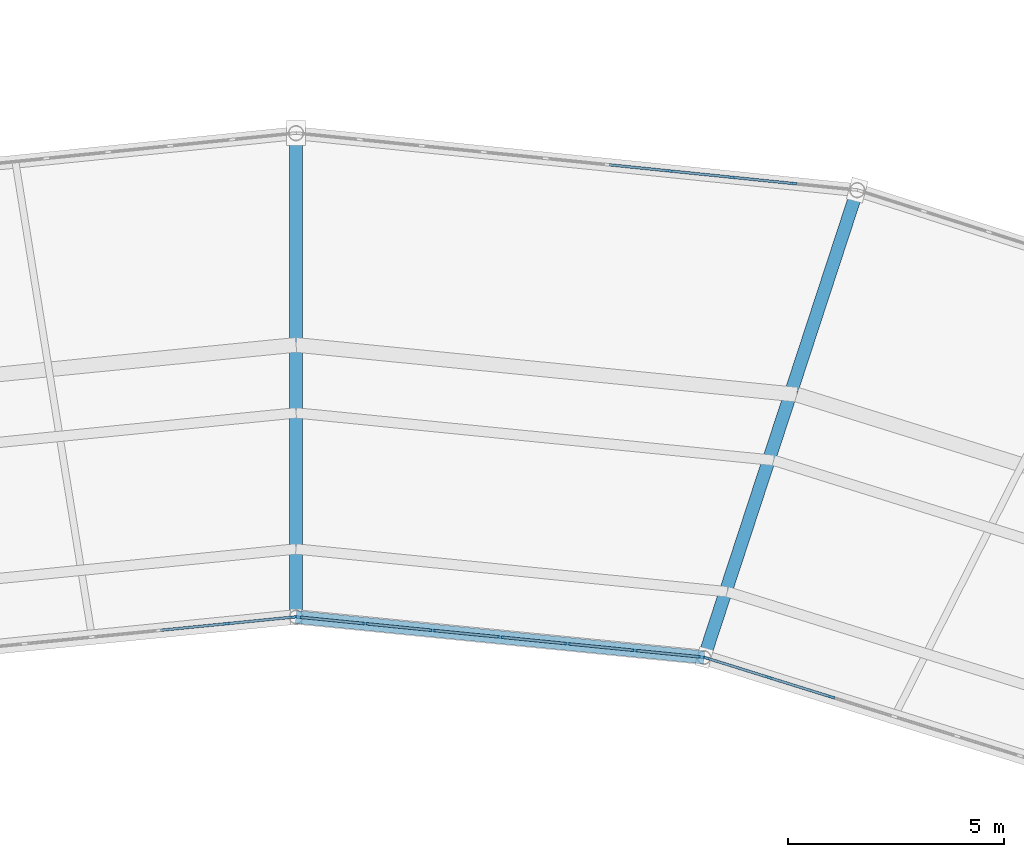
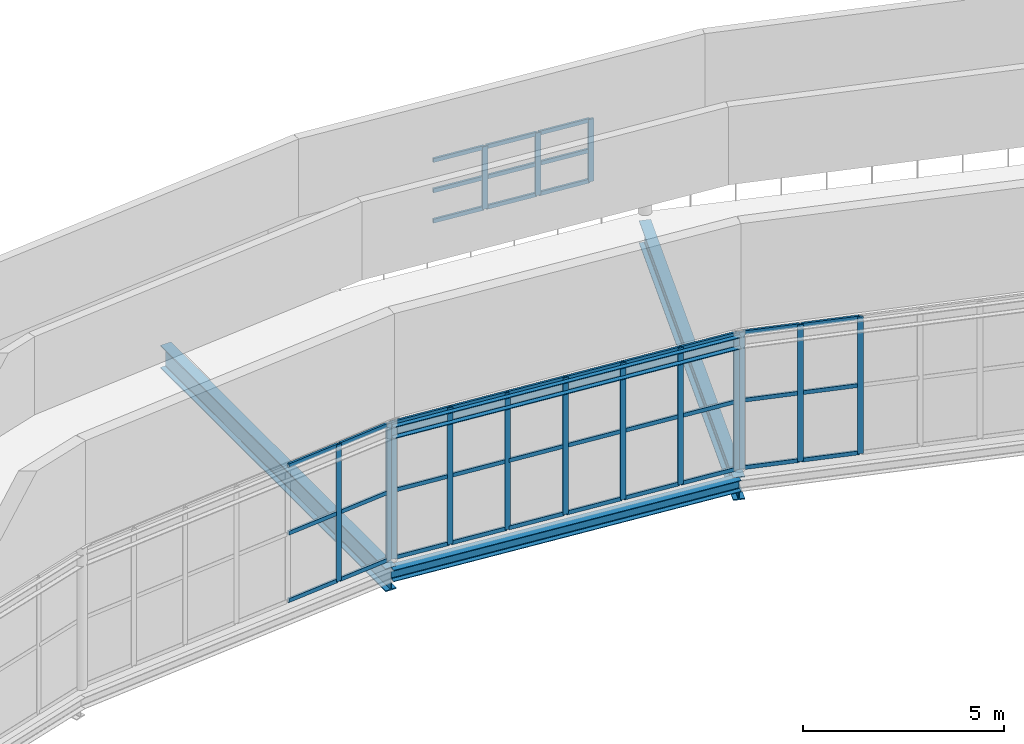
# One storey, part 53 of 123: 54 members, 4 beams, 4 elements without a shape of their own.
"""IFC4 building model written with IfcOpenShell, lengths in metres."""

from ifc_helpers import new_model, si_unit, direction, frame, origin, origin_2d, place, context, subcontext, project, spatial, rectangle, i_section, extrude, material, material_profile, profile_set, type_object, element, aggregate, save


model = new_model("IFC4")

# Units and contexts
model_context = context("Model", 3, precision=1e-05, world=origin(), true_north=direction((0.0, 1.0)))
body_context = subcontext(model_context, "Body", "Model", "MODEL_VIEW")
ifc_project = project(units=[si_unit("LENGTHUNIT", "METRE"), si_unit("AREAUNIT", "SQUARE_METRE"), si_unit("VOLUMEUNIT", "CUBIC_METRE"), si_unit("PLANEANGLEUNIT", "RADIAN"), si_unit("MASSUNIT", "GRAM", prefix="KILO")], contexts=[model_context])

# Site, building, storey
site_placement = place(None, origin())
site = spatial("IfcSite", under=ifc_project, at=site_placement, CompositionType="ELEMENT")
building_placement = place(site_placement, origin())
building = spatial("IfcBuilding", under=site, at=building_placement, Name="Kildeholm Park Wholesale Market", CompositionType="ELEMENT")
storey_placement = place(building_placement, frame((0.0, 0.0, 9.60009765625)))
storey = spatial("IfcBuildingStorey", under=building, at=storey_placement, Name="L02", CompositionType="ELEMENT", Elevation=9.60009765625)

# Beams
ifc_material_1 = material(Name="Steel S355", Category="steel")
ifc_material_profile_1 = material_profile(ifc_material_1, i_section(OverallWidth=0.300048828125, OverallDepth=0.699951171875, WebThickness=0.01708984375, FlangeThickness=0.031982421875, FilletRadius=0.027099609375, at=origin_2d()), Name="HEB 700")
ifc_profile_set_1 = profile_set([ifc_material_profile_1], Name="Steel S355")
beam_type_1 = type_object("IfcBeamType", Name="Beam B-G01 HEB 700", PredefinedType="BEAM", material=ifc_profile_set_1)
beam_1_placement = place(storey_placement, frame((108.447021484375, 116.06298828125, -0.60009765625), z_axis=(0.31146940438, 0.950256181319, 0.0), x_axis=(-0.950256181319, 0.31146940438, 0.0)))
element("IfcBeam", 1, at=beam_1_placement, inside=storey, type_object=beam_type_1, Name="Beam BM-V1-L02-R1-05 BM-0048", PredefinedType="BEAM", context=body_context, shape_type="SweptSolid", body=[
    extrude(i_section(OverallWidth=0.300048828125, OverallDepth=0.699951171875, WebThickness=0.01708984375, FlangeThickness=0.031982421875, FilletRadius=0.027099609375, at=origin_2d()), origin(), (0.0, 0.0, 1.0), 11.384521484375),
])
beam_2_placement = place(storey_placement, frame((99.0, 117.0, -0.60009765625), z_axis=(0.0, 1.0, 0.0), x_axis=(-1.0, 0.0, 0.0)))
element("IfcBeam", 2, at=beam_2_placement, inside=storey, type_object=beam_type_1, Name="Beam BM-V1-L02-R1-06 BM-0057", PredefinedType="BEAM", context=body_context, shape_type="SweptSolid", body=[
    extrude(i_section(OverallWidth=0.300048828125, OverallDepth=0.699951171875, WebThickness=0.01708984375, FlangeThickness=0.031982421875, FilletRadius=0.027099609375, at=origin_2d()), origin(), (0.0, 0.0, 1.0), 11.199951171875),
])
ifc_material_profile_2 = material_profile(ifc_material_1, i_section(OverallWidth=0.300048828125, OverallDepth=0.35009765625, WebThickness=0.010009765625, FlangeThickness=0.017578125, FilletRadius=0.027099609375, at=origin_2d()), Name="HEA 360")
ifc_profile_set_2 = profile_set([ifc_material_profile_2], Name="Steel S355")
beam_type_2 = type_object("IfcBeamType", Name="Beam B-R01 HEA 360", PredefinedType="BEAM", material=ifc_profile_set_2)
beam_3_placement = place(storey_placement, frame((108.447021484375, 116.06298828125, -0.42919921875), z_axis=(-0.995117073258, 0.098701623651, 0.0), x_axis=(-0.098701623651, -0.995117073258, 0.0)))
element("IfcBeam", 3, at=beam_3_placement, inside=storey, type_object=beam_type_2, Name="Beam BM-V1-L02-CI-05 BM-0053", PredefinedType="BEAM", context=body_context, shape_type="SweptSolid", body=[
    extrude(i_section(OverallWidth=0.300048828125, OverallDepth=0.35009765625, WebThickness=0.010009765625, FlangeThickness=0.017578125, FilletRadius=0.027099609375, at=origin_2d()), origin(), (0.0, 0.0, 1.0), 9.493408203125),
])
ifc_material_profile_3 = material_profile(ifc_material_1, i_section(OverallWidth=0.300048828125, OverallDepth=0.360107421875, WebThickness=0.012451171875, FlangeThickness=0.0224609375, FilletRadius=0.027099609375, at=origin_2d()), Name="HEB 360")
ifc_profile_set_3 = profile_set([ifc_material_profile_3], Name="Steel S355")
beam_type_3 = type_object("IfcBeamType", Name="Beam B-R03 HEB 360", PredefinedType="BEAM", material=ifc_profile_set_3)
beam_4_placement = place(storey_placement, frame((108.447021484375, 116.06298828125, 3.9091796875), z_axis=(-0.995117073258, 0.098701623651, 0.0), x_axis=(-0.098701623651, -0.995117073258, 0.0)))
element("IfcBeam", 4, at=beam_4_placement, inside=storey, type_object=beam_type_3, Name="Beam BM-V1-RF-IN-05 BM-0253", PredefinedType="BEAM", context=body_context, shape_type="SweptSolid", body=[
    extrude(i_section(OverallWidth=0.300048828125, OverallDepth=0.360107421875, WebThickness=0.012451171875, FlangeThickness=0.0224609375, FilletRadius=0.027099609375, at=origin_2d()), origin(), (0.0, 0.0, 1.0), 9.493408203125),
])

# Curtain wall, members
ifc_material_2 = material(Name="Anodised aluminium and low-E double-glazed glass", Category="aluminium")
curtain_wall_type = type_object("IfcCurtainWallType", Name="Clerestory daylight stick curtain wall CW-02", PredefinedType="NOTDEFINED", material=ifc_material_2)
curtain_wall_1_placement = place(storey_placement, origin())
curtain_wall_1 = element("IfcCurtainWall", 5, at=curtain_wall_1_placement, inside=storey, type_object=curtain_wall_type, Name="Curtain wall CW-V1-IN2-04 CW-0025", PredefinedType="NOTDEFINED")
ifc_material_3 = material(Name="Anodised aluminium", Category="aluminium")
ifc_material_profile_4 = material_profile(ifc_material_3, rectangle(XDim=0.06005859375, YDim=0.14990234375, at=origin_2d()), Name="CWM 60x150")
ifc_profile_set_4 = profile_set([ifc_material_profile_4], Name="Anodised aluminium")
member_type_1 = type_object("IfcMemberType", Name="Curtain-wall mullion CWM-3 CWM 60x150", PredefinedType="MULLION", material=ifc_profile_set_4)
member_1_placement = place(storey_placement, frame((111.39599609375, 115.14697265625, 0.0), z_axis=(0.0, 0.0, 1.0), x_axis=(-0.297957339818, -0.954579186683, 0.0)))
member_1 = element("IfcMember", 6, at=member_1_placement, type_object=member_type_1, Name="CW-02 mullion 5 MEM-1046", PredefinedType="MULLION", context=body_context, shape_type="SweptSolid", body=[
    extrude(rectangle(XDim=0.06005859375, YDim=0.14990234375, at=origin_2d()), origin(), (0.0, 0.0, 1.0), 4.14990234375),
])
member_2_placement = place(storey_placement, frame((109.94140625, 115.60107421875, 0.0), z_axis=(0.0, 0.0, 1.0), x_axis=(-0.297957339818, -0.954579186683, 0.0)))
member_2 = element("IfcMember", 7, at=member_2_placement, type_object=member_type_1, Name="CW-02 mullion 6 MEM-1047", PredefinedType="MULLION", context=body_context, shape_type="SweptSolid", body=[
    extrude(rectangle(XDim=0.06005859375, YDim=0.14990234375, at=origin_2d()), origin(), (0.0, 0.0, 1.0), 4.14990234375),
])
member_3_placement = place(storey_placement, frame((108.515625, 116.046142578125, 0.0), z_axis=(0.0, 0.0, 1.0), x_axis=(-0.297957339818, -0.954579186683, 0.0)))
member_3 = element("IfcMember", 8, at=member_3_placement, type_object=member_type_1, Name="CW-02 mullion 7 MEM-1048", PredefinedType="MULLION", context=body_context, shape_type="SweptSolid", body=[
    extrude(rectangle(XDim=0.06005859375, YDim=0.14990234375, at=origin_2d()), origin(), (0.0, 0.0, 1.0), 4.14990234375),
])

curtain_wall_2_placement = place(storey_placement, origin())
curtain_wall_2 = element("IfcCurtainWall", 9, at=curtain_wall_2_placement, inside=storey, type_object=curtain_wall_type, Name="Curtain wall CW-V1-CL-05 CW-0027", PredefinedType="NOTDEFINED")
member_4_placement = place(storey_placement, frame((110.51904296875, 127.03466796875, 1.349853515625), z_axis=(0.0, 0.0, 1.0), x_axis=(-0.100998628351, -0.994886564926, 0.0)))
member_4 = element("IfcMember", 10, at=member_4_placement, type_object=member_type_1, Name="CW-02 mullion 2 MEM-1109", PredefinedType="MULLION", context=body_context, shape_type="SweptSolid", body=[
    extrude(rectangle(XDim=0.06005859375, YDim=0.14990234375, at=origin_2d()), origin(), (0.0, 0.0, 1.0), 1.900146484375),
])
member_5_placement = place(storey_placement, frame((109.084228515625, 127.180419921875, 1.349853515625), z_axis=(0.0, 0.0, 1.0), x_axis=(-0.100998628351, -0.994886564926, 0.0)))
member_5 = element("IfcMember", 11, at=member_5_placement, type_object=member_type_1, Name="CW-02 mullion 3 MEM-1110", PredefinedType="MULLION", context=body_context, shape_type="SweptSolid", body=[
    extrude(rectangle(XDim=0.06005859375, YDim=0.14990234375, at=origin_2d()), origin(), (0.0, 0.0, 1.0), 1.900146484375),
])
member_6_placement = place(storey_placement, frame((107.6494140625, 127.325927734375, 1.349853515625), z_axis=(0.0, 0.0, 1.0), x_axis=(-0.100998628351, -0.994886564926, 0.0)))
member_6 = element("IfcMember", 12, at=member_6_placement, type_object=member_type_1, Name="CW-02 mullion 4 MEM-1111", PredefinedType="MULLION", context=body_context, shape_type="SweptSolid", body=[
    extrude(rectangle(XDim=0.06005859375, YDim=0.14990234375, at=origin_2d()), origin(), (0.0, 0.0, 1.0), 1.900146484375),
])

curtain_wall_3_placement = place(storey_placement, origin())
curtain_wall_3 = element("IfcCurtainWall", 13, at=curtain_wall_3_placement, inside=storey, type_object=curtain_wall_type, Name="Curtain wall CW-V1-IN2-05 CW-0029", PredefinedType="NOTDEFINED")
member_7_placement = place(storey_placement, frame((108.378173828125, 116.073974609375, 0.0), z_axis=(0.0, 0.0, 1.0), x_axis=(-0.098683331174, -0.995118887444, 0.0)))
member_7 = element("IfcMember", 14, at=member_7_placement, type_object=member_type_1, Name="CW-02 mullion 1 MEM-1170", PredefinedType="MULLION", context=body_context, shape_type="SweptSolid", body=[
    extrude(rectangle(XDim=0.06005859375, YDim=0.14990234375, at=origin_2d()), origin(), (0.0, 0.0, 1.0), 4.14990234375),
])
member_8_placement = place(storey_placement, frame((106.8466796875, 116.225830078125, 0.0), z_axis=(0.0, 0.0, 1.0), x_axis=(-0.098683331174, -0.995118887444, 0.0)))
member_8 = element("IfcMember", 15, at=member_8_placement, type_object=member_type_1, Name="CW-02 mullion 2 MEM-1171", PredefinedType="MULLION", context=body_context, shape_type="SweptSolid", body=[
    extrude(rectangle(XDim=0.06005859375, YDim=0.14990234375, at=origin_2d()), origin(), (0.0, 0.0, 1.0), 4.14990234375),
])
member_9_placement = place(storey_placement, frame((105.285400390625, 116.380615234375, 0.0), z_axis=(0.0, 0.0, 1.0), x_axis=(-0.098683331174, -0.995118887444, 0.0)))
member_9 = element("IfcMember", 16, at=member_9_placement, type_object=member_type_1, Name="CW-02 mullion 3 MEM-1172", PredefinedType="MULLION", context=body_context, shape_type="SweptSolid", body=[
    extrude(rectangle(XDim=0.06005859375, YDim=0.14990234375, at=origin_2d()), origin(), (0.0, 0.0, 1.0), 4.14990234375),
])
member_10_placement = place(storey_placement, frame((103.72412109375, 116.535400390625, 0.0), z_axis=(0.0, 0.0, 1.0), x_axis=(-0.098683331174, -0.995118887444, 0.0)))
member_10 = element("IfcMember", 17, at=member_10_placement, type_object=member_type_1, Name="CW-02 mullion 4 MEM-1173", PredefinedType="MULLION", context=body_context, shape_type="SweptSolid", body=[
    extrude(rectangle(XDim=0.06005859375, YDim=0.14990234375, at=origin_2d()), origin(), (0.0, 0.0, 1.0), 4.14990234375),
])
member_11_placement = place(storey_placement, frame((102.16259765625, 116.6904296875, 0.0), z_axis=(0.0, 0.0, 1.0), x_axis=(-0.098683331174, -0.995118887444, 0.0)))
member_11 = element("IfcMember", 18, at=member_11_placement, type_object=member_type_1, Name="CW-02 mullion 5 MEM-1174", PredefinedType="MULLION", context=body_context, shape_type="SweptSolid", body=[
    extrude(rectangle(XDim=0.06005859375, YDim=0.14990234375, at=origin_2d()), origin(), (0.0, 0.0, 1.0), 4.14990234375),
])
member_12_placement = place(storey_placement, frame((100.601318359375, 116.84521484375, 0.0), z_axis=(0.0, 0.0, 1.0), x_axis=(-0.098683331174, -0.995118887444, 0.0)))
member_12 = element("IfcMember", 19, at=member_12_placement, type_object=member_type_1, Name="CW-02 mullion 6 MEM-1175", PredefinedType="MULLION", context=body_context, shape_type="SweptSolid", body=[
    extrude(rectangle(XDim=0.06005859375, YDim=0.14990234375, at=origin_2d()), origin(), (0.0, 0.0, 1.0), 4.14990234375),
])
member_13_placement = place(storey_placement, frame((99.06982421875, 116.9970703125, 0.0), z_axis=(0.0, 0.0, 1.0), x_axis=(-0.098683331174, -0.995118887444, 0.0)))
member_13 = element("IfcMember", 20, at=member_13_placement, type_object=member_type_1, Name="CW-02 mullion 7 MEM-1176", PredefinedType="MULLION", context=body_context, shape_type="SweptSolid", body=[
    extrude(rectangle(XDim=0.06005859375, YDim=0.14990234375, at=origin_2d()), origin(), (0.0, 0.0, 1.0), 4.14990234375),
])

curtain_wall_4_placement = place(storey_placement, origin())
curtain_wall_4 = element("IfcCurtainWall", 21, at=curtain_wall_4_placement, inside=storey, type_object=curtain_wall_type, Name="Curtain wall CW-V1-IN2-06 CW-0034", PredefinedType="NOTDEFINED")
member_14_placement = place(storey_placement, frame((98.93017578125, 116.9970703125, 0.0), z_axis=(0.0, 0.0, 1.0), x_axis=(0.098683331174, -0.995118887444, 0.0)))
member_14 = element("IfcMember", 22, at=member_14_placement, type_object=member_type_1, Name="CW-02 mullion 1 MEM-1323", PredefinedType="MULLION", context=body_context, shape_type="SweptSolid", body=[
    extrude(rectangle(XDim=0.06005859375, YDim=0.14990234375, at=origin_2d()), origin(), (0.0, 0.0, 1.0), 4.14990234375),
])
member_15_placement = place(storey_placement, frame((97.398681640625, 116.84521484375, 0.0), z_axis=(0.0, 0.0, 1.0), x_axis=(0.098683331174, -0.995118887444, 0.0)))
member_15 = element("IfcMember", 23, at=member_15_placement, type_object=member_type_1, Name="CW-02 mullion 2 MEM-1324", PredefinedType="MULLION", context=body_context, shape_type="SweptSolid", body=[
    extrude(rectangle(XDim=0.06005859375, YDim=0.14990234375, at=origin_2d()), origin(), (0.0, 0.0, 1.0), 4.14990234375),
])

# Member
ifc_material_profile_5 = material_profile(ifc_material_3, rectangle(XDim=0.06005859375, YDim=0.1201171875, at=origin_2d()), Name="CWT 60x120")
ifc_profile_set_5 = profile_set([ifc_material_profile_5], Name="Anodised aluminium")
member_type_2 = type_object("IfcMemberType", Name="Curtain-wall transom CWT-3 CWT 60x120", PredefinedType="USERDEFINED", material=ifc_profile_set_5)
member_16_placement = place(storey_placement, frame((111.367431640625, 115.156005859375, 0.02978515625), z_axis=(-0.954595656964, 0.297904568118, 0.0), x_axis=(-0.297904568118, -0.954595656964, 0.0)))
member_16 = element("IfcMember", 24, at=member_16_placement, type_object=member_type_2, Name="CW-02 transom 5.1 MEM-1061", ObjectType="TRANSOM", PredefinedType="USERDEFINED", context=body_context, shape_type="SweptSolid", body=[
    extrude(rectangle(XDim=0.06005859375, YDim=0.1201171875, at=origin_2d()), origin(), (0.0, 0.0, 1.0), 1.463623046875),
])

member_17_placement = place(storey_placement, frame((111.367431640625, 115.156005859375, 2.074951171875), z_axis=(-0.954595656964, 0.297904568118, 0.0), x_axis=(-0.297904568118, -0.954595656964, 0.0)))
member_17 = element("IfcMember", 25, at=member_17_placement, type_object=member_type_2, Name="CW-02 transom 5.2 MEM-1062", ObjectType="TRANSOM", PredefinedType="USERDEFINED", context=body_context, shape_type="SweptSolid", body=[
    extrude(rectangle(XDim=0.06005859375, YDim=0.1201171875, at=origin_2d()), origin(), (0.0, 0.0, 1.0), 1.463623046875),
])

member_18_placement = place(storey_placement, frame((111.367431640625, 115.156005859375, 4.119873046875), z_axis=(-0.954595656964, 0.297904568118, 0.0), x_axis=(-0.297904568118, -0.954595656964, 0.0)))
member_18 = element("IfcMember", 26, at=member_18_placement, type_object=member_type_2, Name="CW-02 transom 5.3 MEM-1063", ObjectType="TRANSOM", PredefinedType="USERDEFINED", context=body_context, shape_type="SweptSolid", body=[
    extrude(rectangle(XDim=0.06005859375, YDim=0.1201171875, at=origin_2d()), origin(), (0.0, 0.0, 1.0), 1.463623046875),
])

member_19_placement = place(storey_placement, frame((109.912841796875, 115.60986328125, 0.02978515625), z_axis=(-0.954570828719, 0.29798411528, 0.0), x_axis=(-0.29798411528, -0.954570828719, 0.0)))
member_19 = element("IfcMember", 27, at=member_19_placement, type_object=member_type_2, Name="CW-02 transom 6.1 MEM-1064", ObjectType="TRANSOM", PredefinedType="USERDEFINED", context=body_context, shape_type="SweptSolid", body=[
    extrude(rectangle(XDim=0.06005859375, YDim=0.1201171875, at=origin_2d()), origin(), (0.0, 0.0, 1.0), 1.433837890625),
])

member_20_placement = place(storey_placement, frame((109.912841796875, 115.60986328125, 2.074951171875), z_axis=(-0.954570828719, 0.29798411528, 0.0), x_axis=(-0.29798411528, -0.954570828719, 0.0)))
member_20 = element("IfcMember", 28, at=member_20_placement, type_object=member_type_2, Name="CW-02 transom 6.2 MEM-1065", ObjectType="TRANSOM", PredefinedType="USERDEFINED", context=body_context, shape_type="SweptSolid", body=[
    extrude(rectangle(XDim=0.06005859375, YDim=0.1201171875, at=origin_2d()), origin(), (0.0, 0.0, 1.0), 1.433837890625),
])

member_21_placement = place(storey_placement, frame((109.912841796875, 115.60986328125, 4.119873046875), z_axis=(-0.954570828719, 0.29798411528, 0.0), x_axis=(-0.29798411528, -0.954570828719, 0.0)))
member_21 = element("IfcMember", 29, at=member_21_placement, type_object=member_type_2, Name="CW-02 transom 6.3 MEM-1066", ObjectType="TRANSOM", PredefinedType="USERDEFINED", context=body_context, shape_type="SweptSolid", body=[
    extrude(rectangle(XDim=0.06005859375, YDim=0.1201171875, at=origin_2d()), origin(), (0.0, 0.0, 1.0), 1.433837890625),
])

aggregate(curtain_wall_1, [member_1, member_2, member_3, member_16, member_17, member_18, member_19, member_20, member_21])

member_22_placement = place(storey_placement, frame((110.4892578125, 127.03759765625, 1.3798828125), z_axis=(-0.994883891691, 0.10102495758, 0.0), x_axis=(-0.10102495758, -0.994883891691, 0.0)))
member_22 = element("IfcMember", 30, at=member_22_placement, type_object=member_type_2, Name="CW-02 transom 2.1 MEM-1121", ObjectType="TRANSOM", PredefinedType="USERDEFINED", context=body_context, shape_type="SweptSolid", body=[
    extrude(rectangle(XDim=0.06005859375, YDim=0.1201171875, at=origin_2d()), origin(), (0.0, 0.0, 1.0), 1.38232421875),
])

member_23_placement = place(storey_placement, frame((110.4892578125, 127.03759765625, 2.2998046875), z_axis=(-0.994883891691, 0.10102495758, 0.0), x_axis=(-0.10102495758, -0.994883891691, 0.0)))
member_23 = element("IfcMember", 31, at=member_23_placement, type_object=member_type_2, Name="CW-02 transom 2.2 MEM-1122", ObjectType="TRANSOM", PredefinedType="USERDEFINED", context=body_context, shape_type="SweptSolid", body=[
    extrude(rectangle(XDim=0.06005859375, YDim=0.1201171875, at=origin_2d()), origin(), (0.0, 0.0, 1.0), 1.38232421875),
])

member_24_placement = place(storey_placement, frame((110.4892578125, 127.03759765625, 3.219970703125), z_axis=(-0.994883891691, 0.10102495758, 0.0), x_axis=(-0.10102495758, -0.994883891691, 0.0)))
member_24 = element("IfcMember", 32, at=member_24_placement, type_object=member_type_2, Name="CW-02 transom 2.3 MEM-1123", ObjectType="TRANSOM", PredefinedType="USERDEFINED", context=body_context, shape_type="SweptSolid", body=[
    extrude(rectangle(XDim=0.06005859375, YDim=0.1201171875, at=origin_2d()), origin(), (0.0, 0.0, 1.0), 1.38232421875),
])

member_25_placement = place(storey_placement, frame((109.054443359375, 127.183349609375, 1.3798828125), z_axis=(-0.994883891691, 0.10102495758, 0.0), x_axis=(-0.10102495758, -0.994883891691, 0.0)))
member_25 = element("IfcMember", 33, at=member_25_placement, type_object=member_type_2, Name="CW-02 transom 3.1 MEM-1124", ObjectType="TRANSOM", PredefinedType="USERDEFINED", context=body_context, shape_type="SweptSolid", body=[
    extrude(rectangle(XDim=0.06005859375, YDim=0.1201171875, at=origin_2d()), origin(), (0.0, 0.0, 1.0), 1.38232421875),
])

member_26_placement = place(storey_placement, frame((109.054443359375, 127.183349609375, 2.2998046875), z_axis=(-0.994883891691, 0.10102495758, 0.0), x_axis=(-0.10102495758, -0.994883891691, 0.0)))
member_26 = element("IfcMember", 34, at=member_26_placement, type_object=member_type_2, Name="CW-02 transom 3.2 MEM-1125", ObjectType="TRANSOM", PredefinedType="USERDEFINED", context=body_context, shape_type="SweptSolid", body=[
    extrude(rectangle(XDim=0.06005859375, YDim=0.1201171875, at=origin_2d()), origin(), (0.0, 0.0, 1.0), 1.38232421875),
])

member_27_placement = place(storey_placement, frame((109.054443359375, 127.183349609375, 3.219970703125), z_axis=(-0.994883891691, 0.10102495758, 0.0), x_axis=(-0.10102495758, -0.994883891691, 0.0)))
member_27 = element("IfcMember", 35, at=member_27_placement, type_object=member_type_2, Name="CW-02 transom 3.3 MEM-1126", ObjectType="TRANSOM", PredefinedType="USERDEFINED", context=body_context, shape_type="SweptSolid", body=[
    extrude(rectangle(XDim=0.06005859375, YDim=0.1201171875, at=origin_2d()), origin(), (0.0, 0.0, 1.0), 1.38232421875),
])

member_28_placement = place(storey_placement, frame((107.619384765625, 127.3291015625, 1.3798828125), z_axis=(-0.994882088655, 0.101042712129, 0.0), x_axis=(-0.101042712129, -0.994882088655, 0.0)))
member_28 = element("IfcMember", 36, at=member_28_placement, type_object=member_type_2, Name="CW-02 transom 4.1 MEM-1127", ObjectType="TRANSOM", PredefinedType="USERDEFINED", context=body_context, shape_type="SweptSolid", body=[
    extrude(rectangle(XDim=0.06005859375, YDim=0.1201171875, at=origin_2d()), origin(), (0.0, 0.0, 1.0), 1.382080078125),
])

member_29_placement = place(storey_placement, frame((107.619384765625, 127.3291015625, 2.2998046875), z_axis=(-0.994882088655, 0.101042712129, 0.0), x_axis=(-0.101042712129, -0.994882088655, 0.0)))
member_29 = element("IfcMember", 37, at=member_29_placement, type_object=member_type_2, Name="CW-02 transom 4.2 MEM-1128", ObjectType="TRANSOM", PredefinedType="USERDEFINED", context=body_context, shape_type="SweptSolid", body=[
    extrude(rectangle(XDim=0.06005859375, YDim=0.1201171875, at=origin_2d()), origin(), (0.0, 0.0, 1.0), 1.382080078125),
])

member_30_placement = place(storey_placement, frame((107.619384765625, 127.3291015625, 3.219970703125), z_axis=(-0.994882088655, 0.101042712129, 0.0), x_axis=(-0.101042712129, -0.994882088655, 0.0)))
member_30 = element("IfcMember", 38, at=member_30_placement, type_object=member_type_2, Name="CW-02 transom 4.3 MEM-1129", ObjectType="TRANSOM", PredefinedType="USERDEFINED", context=body_context, shape_type="SweptSolid", body=[
    extrude(rectangle(XDim=0.06005859375, YDim=0.1201171875, at=origin_2d()), origin(), (0.0, 0.0, 1.0), 1.382080078125),
])

aggregate(curtain_wall_2, [member_4, member_5, member_6, member_22, member_23, member_24, member_25, member_26, member_27, member_28, member_29, member_30])

member_31_placement = place(storey_placement, frame((108.348388671875, 116.076904296875, 0.02978515625), z_axis=(-0.995116944217, 0.098702924638, 0.0), x_axis=(-0.098702924638, -0.995116944217, 0.0)))
member_31 = element("IfcMember", 39, at=member_31_placement, type_object=member_type_2, Name="CW-02 transom 1.1 MEM-1177", ObjectType="TRANSOM", PredefinedType="USERDEFINED", context=body_context, shape_type="SweptSolid", body=[
    extrude(rectangle(XDim=0.06005859375, YDim=0.1201171875, at=origin_2d()), origin(), (0.0, 0.0, 1.0), 1.479248046875),
])

member_32_placement = place(storey_placement, frame((108.348388671875, 116.076904296875, 2.074951171875), z_axis=(-0.995116944217, 0.098702924638, 0.0), x_axis=(-0.098702924638, -0.995116944217, 0.0)))
member_32 = element("IfcMember", 40, at=member_32_placement, type_object=member_type_2, Name="CW-02 transom 1.2 MEM-1178", ObjectType="TRANSOM", PredefinedType="USERDEFINED", context=body_context, shape_type="SweptSolid", body=[
    extrude(rectangle(XDim=0.06005859375, YDim=0.1201171875, at=origin_2d()), origin(), (0.0, 0.0, 1.0), 1.479248046875),
])

member_33_placement = place(storey_placement, frame((108.348388671875, 116.076904296875, 4.119873046875), z_axis=(-0.995116944217, 0.098702924638, 0.0), x_axis=(-0.098702924638, -0.995116944217, 0.0)))
member_33 = element("IfcMember", 41, at=member_33_placement, type_object=member_type_2, Name="CW-02 transom 1.3 MEM-1179", ObjectType="TRANSOM", PredefinedType="USERDEFINED", context=body_context, shape_type="SweptSolid", body=[
    extrude(rectangle(XDim=0.06005859375, YDim=0.1201171875, at=origin_2d()), origin(), (0.0, 0.0, 1.0), 1.479248046875),
])

member_34_placement = place(storey_placement, frame((106.81689453125, 116.228759765625, 0.02978515625), z_axis=(-0.995118546562, 0.098686768558, 0.0), x_axis=(-0.098686768558, -0.995118546562, 0.0)))
member_34 = element("IfcMember", 42, at=member_34_placement, type_object=member_type_2, Name="CW-02 transom 2.1 MEM-1180", ObjectType="TRANSOM", PredefinedType="USERDEFINED", context=body_context, shape_type="SweptSolid", body=[
    extrude(rectangle(XDim=0.06005859375, YDim=0.1201171875, at=origin_2d()), origin(), (0.0, 0.0, 1.0), 1.509033203125),
])

member_35_placement = place(storey_placement, frame((106.81689453125, 116.228759765625, 2.074951171875), z_axis=(-0.995118546562, 0.098686768558, 0.0), x_axis=(-0.098686768558, -0.995118546562, 0.0)))
member_35 = element("IfcMember", 43, at=member_35_placement, type_object=member_type_2, Name="CW-02 transom 2.2 MEM-1181", ObjectType="TRANSOM", PredefinedType="USERDEFINED", context=body_context, shape_type="SweptSolid", body=[
    extrude(rectangle(XDim=0.06005859375, YDim=0.1201171875, at=origin_2d()), origin(), (0.0, 0.0, 1.0), 1.509033203125),
])

member_36_placement = place(storey_placement, frame((106.81689453125, 116.228759765625, 4.119873046875), z_axis=(-0.995118546562, 0.098686768558, 0.0), x_axis=(-0.098686768558, -0.995118546562, 0.0)))
member_36 = element("IfcMember", 44, at=member_36_placement, type_object=member_type_2, Name="CW-02 transom 2.3 MEM-1182", ObjectType="TRANSOM", PredefinedType="USERDEFINED", context=body_context, shape_type="SweptSolid", body=[
    extrude(rectangle(XDim=0.06005859375, YDim=0.1201171875, at=origin_2d()), origin(), (0.0, 0.0, 1.0), 1.509033203125),
])

member_37_placement = place(storey_placement, frame((105.25537109375, 116.383544921875, 0.02978515625), z_axis=(-0.995116970578, 0.09870265887, 0.0), x_axis=(-0.09870265887, -0.995116970578, 0.0)))
member_37 = element("IfcMember", 45, at=member_37_placement, type_object=member_type_2, Name="CW-02 transom 3.1 MEM-1183", ObjectType="TRANSOM", PredefinedType="USERDEFINED", context=body_context, shape_type="SweptSolid", body=[
    extrude(rectangle(XDim=0.06005859375, YDim=0.1201171875, at=origin_2d()), origin(), (0.0, 0.0, 1.0), 1.5087890625),
])

member_38_placement = place(storey_placement, frame((105.25537109375, 116.383544921875, 2.074951171875), z_axis=(-0.995116970578, 0.09870265887, 0.0), x_axis=(-0.09870265887, -0.995116970578, 0.0)))
member_38 = element("IfcMember", 46, at=member_38_placement, type_object=member_type_2, Name="CW-02 transom 3.2 MEM-1184", ObjectType="TRANSOM", PredefinedType="USERDEFINED", context=body_context, shape_type="SweptSolid", body=[
    extrude(rectangle(XDim=0.06005859375, YDim=0.1201171875, at=origin_2d()), origin(), (0.0, 0.0, 1.0), 1.5087890625),
])

member_39_placement = place(storey_placement, frame((105.25537109375, 116.383544921875, 4.119873046875), z_axis=(-0.995116970578, 0.09870265887, 0.0), x_axis=(-0.09870265887, -0.995116970578, 0.0)))
member_39 = element("IfcMember", 47, at=member_39_placement, type_object=member_type_2, Name="CW-02 transom 3.3 MEM-1185", ObjectType="TRANSOM", PredefinedType="USERDEFINED", context=body_context, shape_type="SweptSolid", body=[
    extrude(rectangle(XDim=0.06005859375, YDim=0.1201171875, at=origin_2d()), origin(), (0.0, 0.0, 1.0), 1.5087890625),
])

member_40_placement = place(storey_placement, frame((103.694091796875, 116.53857421875, 0.02978515625), z_axis=(-0.995132850789, 0.098542423761, 0.0), x_axis=(-0.098542423761, -0.995132850789, 0.0)))
member_40 = element("IfcMember", 48, at=member_40_placement, type_object=member_type_2, Name="CW-02 transom 4.1 MEM-1186", ObjectType="TRANSOM", PredefinedType="USERDEFINED", context=body_context, shape_type="SweptSolid", body=[
    extrude(rectangle(XDim=0.06005859375, YDim=0.1201171875, at=origin_2d()), origin(), (0.0, 0.0, 1.0), 1.5087890625),
])

member_41_placement = place(storey_placement, frame((103.694091796875, 116.53857421875, 2.074951171875), z_axis=(-0.995132850789, 0.098542423761, 0.0), x_axis=(-0.098542423761, -0.995132850789, 0.0)))
member_41 = element("IfcMember", 49, at=member_41_placement, type_object=member_type_2, Name="CW-02 transom 4.2 MEM-1187", ObjectType="TRANSOM", PredefinedType="USERDEFINED", context=body_context, shape_type="SweptSolid", body=[
    extrude(rectangle(XDim=0.06005859375, YDim=0.1201171875, at=origin_2d()), origin(), (0.0, 0.0, 1.0), 1.5087890625),
])

member_42_placement = place(storey_placement, frame((103.694091796875, 116.53857421875, 4.119873046875), z_axis=(-0.995132850789, 0.098542423761, 0.0), x_axis=(-0.098542423761, -0.995132850789, 0.0)))
member_42 = element("IfcMember", 50, at=member_42_placement, type_object=member_type_2, Name="CW-02 transom 4.3 MEM-1188", ObjectType="TRANSOM", PredefinedType="USERDEFINED", context=body_context, shape_type="SweptSolid", body=[
    extrude(rectangle(XDim=0.06005859375, YDim=0.1201171875, at=origin_2d()), origin(), (0.0, 0.0, 1.0), 1.5087890625),
])

member_43_placement = place(storey_placement, frame((102.1328125, 116.693359375, 0.02978515625), z_axis=(-0.995118546562, 0.098686768558, 0.0), x_axis=(-0.098686768558, -0.995118546562, 0.0)))
member_43 = element("IfcMember", 51, at=member_43_placement, type_object=member_type_2, Name="CW-02 transom 5.1 MEM-1189", ObjectType="TRANSOM", PredefinedType="USERDEFINED", context=body_context, shape_type="SweptSolid", body=[
    extrude(rectangle(XDim=0.06005859375, YDim=0.1201171875, at=origin_2d()), origin(), (0.0, 0.0, 1.0), 1.509033203125),
])

member_44_placement = place(storey_placement, frame((102.1328125, 116.693359375, 2.074951171875), z_axis=(-0.995118546562, 0.098686768558, 0.0), x_axis=(-0.098686768558, -0.995118546562, 0.0)))
member_44 = element("IfcMember", 52, at=member_44_placement, type_object=member_type_2, Name="CW-02 transom 5.2 MEM-1190", ObjectType="TRANSOM", PredefinedType="USERDEFINED", context=body_context, shape_type="SweptSolid", body=[
    extrude(rectangle(XDim=0.06005859375, YDim=0.1201171875, at=origin_2d()), origin(), (0.0, 0.0, 1.0), 1.509033203125),
])

member_45_placement = place(storey_placement, frame((102.1328125, 116.693359375, 4.119873046875), z_axis=(-0.995118546562, 0.098686768558, 0.0), x_axis=(-0.098686768558, -0.995118546562, 0.0)))
member_45 = element("IfcMember", 53, at=member_45_placement, type_object=member_type_2, Name="CW-02 transom 5.3 MEM-1191", ObjectType="TRANSOM", PredefinedType="USERDEFINED", context=body_context, shape_type="SweptSolid", body=[
    extrude(rectangle(XDim=0.06005859375, YDim=0.1201171875, at=origin_2d()), origin(), (0.0, 0.0, 1.0), 1.509033203125),
])

member_46_placement = place(storey_placement, frame((100.571533203125, 116.84814453125, 0.02978515625), z_axis=(-0.995116944217, 0.098702924638, 0.0), x_axis=(-0.098702924638, -0.995116944217, 0.0)))
member_46 = element("IfcMember", 54, at=member_46_placement, type_object=member_type_2, Name="CW-02 transom 6.1 MEM-1192", ObjectType="TRANSOM", PredefinedType="USERDEFINED", context=body_context, shape_type="SweptSolid", body=[
    extrude(rectangle(XDim=0.06005859375, YDim=0.1201171875, at=origin_2d()), origin(), (0.0, 0.0, 1.0), 1.479248046875),
])

member_47_placement = place(storey_placement, frame((100.571533203125, 116.84814453125, 2.074951171875), z_axis=(-0.995116944217, 0.098702924638, 0.0), x_axis=(-0.098702924638, -0.995116944217, 0.0)))
member_47 = element("IfcMember", 55, at=member_47_placement, type_object=member_type_2, Name="CW-02 transom 6.2 MEM-1193", ObjectType="TRANSOM", PredefinedType="USERDEFINED", context=body_context, shape_type="SweptSolid", body=[
    extrude(rectangle(XDim=0.06005859375, YDim=0.1201171875, at=origin_2d()), origin(), (0.0, 0.0, 1.0), 1.479248046875),
])

member_48_placement = place(storey_placement, frame((100.571533203125, 116.84814453125, 4.119873046875), z_axis=(-0.995116944217, 0.098702924638, 0.0), x_axis=(-0.098702924638, -0.995116944217, 0.0)))
member_48 = element("IfcMember", 56, at=member_48_placement, type_object=member_type_2, Name="CW-02 transom 6.3 MEM-1194", ObjectType="TRANSOM", PredefinedType="USERDEFINED", context=body_context, shape_type="SweptSolid", body=[
    extrude(rectangle(XDim=0.06005859375, YDim=0.1201171875, at=origin_2d()), origin(), (0.0, 0.0, 1.0), 1.479248046875),
])

aggregate(curtain_wall_3, [member_7, member_8, member_9, member_10, member_11, member_12, member_13, member_31, member_32, member_33, member_34, member_35, member_36, member_37, member_38, member_39, member_40, member_41, member_42, member_43, member_44, member_45, member_46, member_47, member_48])

member_49_placement = place(storey_placement, frame((98.900390625, 116.994140625, 0.02978515625), z_axis=(-0.995116944217, -0.098702924638, 0.0), x_axis=(0.098702924638, -0.995116944217, 0.0)))
member_49 = element("IfcMember", 57, at=member_49_placement, type_object=member_type_2, Name="CW-02 transom 1.1 MEM-1330", ObjectType="TRANSOM", PredefinedType="USERDEFINED", context=body_context, shape_type="SweptSolid", body=[
    extrude(rectangle(XDim=0.06005859375, YDim=0.1201171875, at=origin_2d()), origin(), (0.0, 0.0, 1.0), 1.479248046875),
])

member_50_placement = place(storey_placement, frame((98.900390625, 116.994140625, 2.074951171875), z_axis=(-0.995116944217, -0.098702924638, 0.0), x_axis=(0.098702924638, -0.995116944217, 0.0)))
member_50 = element("IfcMember", 58, at=member_50_placement, type_object=member_type_2, Name="CW-02 transom 1.2 MEM-1331", ObjectType="TRANSOM", PredefinedType="USERDEFINED", context=body_context, shape_type="SweptSolid", body=[
    extrude(rectangle(XDim=0.06005859375, YDim=0.1201171875, at=origin_2d()), origin(), (0.0, 0.0, 1.0), 1.479248046875),
])

member_51_placement = place(storey_placement, frame((98.900390625, 116.994140625, 4.119873046875), z_axis=(-0.995116944217, -0.098702924638, 0.0), x_axis=(0.098702924638, -0.995116944217, 0.0)))
member_51 = element("IfcMember", 59, at=member_51_placement, type_object=member_type_2, Name="CW-02 transom 1.3 MEM-1332", ObjectType="TRANSOM", PredefinedType="USERDEFINED", context=body_context, shape_type="SweptSolid", body=[
    extrude(rectangle(XDim=0.06005859375, YDim=0.1201171875, at=origin_2d()), origin(), (0.0, 0.0, 1.0), 1.479248046875),
])

member_52_placement = place(storey_placement, frame((97.368896484375, 116.84228515625, 0.02978515625), z_axis=(-0.995118546562, -0.098686768558, 0.0), x_axis=(0.098686768558, -0.995118546562, 0.0)))
member_52 = element("IfcMember", 60, at=member_52_placement, type_object=member_type_2, Name="CW-02 transom 2.1 MEM-1333", ObjectType="TRANSOM", PredefinedType="USERDEFINED", context=body_context, shape_type="SweptSolid", body=[
    extrude(rectangle(XDim=0.06005859375, YDim=0.1201171875, at=origin_2d()), origin(), (0.0, 0.0, 1.0), 1.509033203125),
])

member_53_placement = place(storey_placement, frame((97.368896484375, 116.84228515625, 2.074951171875), z_axis=(-0.995118546562, -0.098686768558, 0.0), x_axis=(0.098686768558, -0.995118546562, 0.0)))
member_53 = element("IfcMember", 61, at=member_53_placement, type_object=member_type_2, Name="CW-02 transom 2.2 MEM-1334", ObjectType="TRANSOM", PredefinedType="USERDEFINED", context=body_context, shape_type="SweptSolid", body=[
    extrude(rectangle(XDim=0.06005859375, YDim=0.1201171875, at=origin_2d()), origin(), (0.0, 0.0, 1.0), 1.509033203125),
])

member_54_placement = place(storey_placement, frame((97.368896484375, 116.84228515625, 4.119873046875), z_axis=(-0.995118546562, -0.098686768558, 0.0), x_axis=(0.098686768558, -0.995118546562, 0.0)))
member_54 = element("IfcMember", 62, at=member_54_placement, type_object=member_type_2, Name="CW-02 transom 2.3 MEM-1335", ObjectType="TRANSOM", PredefinedType="USERDEFINED", context=body_context, shape_type="SweptSolid", body=[
    extrude(rectangle(XDim=0.06005859375, YDim=0.1201171875, at=origin_2d()), origin(), (0.0, 0.0, 1.0), 1.509033203125),
])

aggregate(curtain_wall_4, [member_14, member_15, member_49, member_50, member_51, member_52, member_53, member_54])

save(model, "model.ifc")
